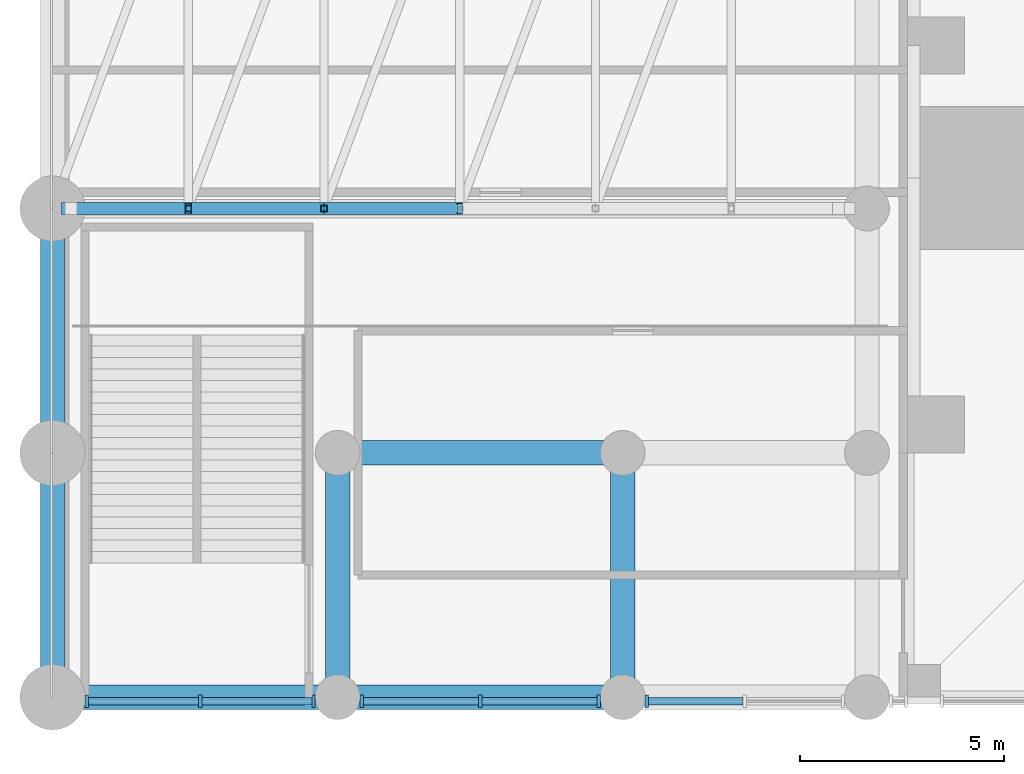
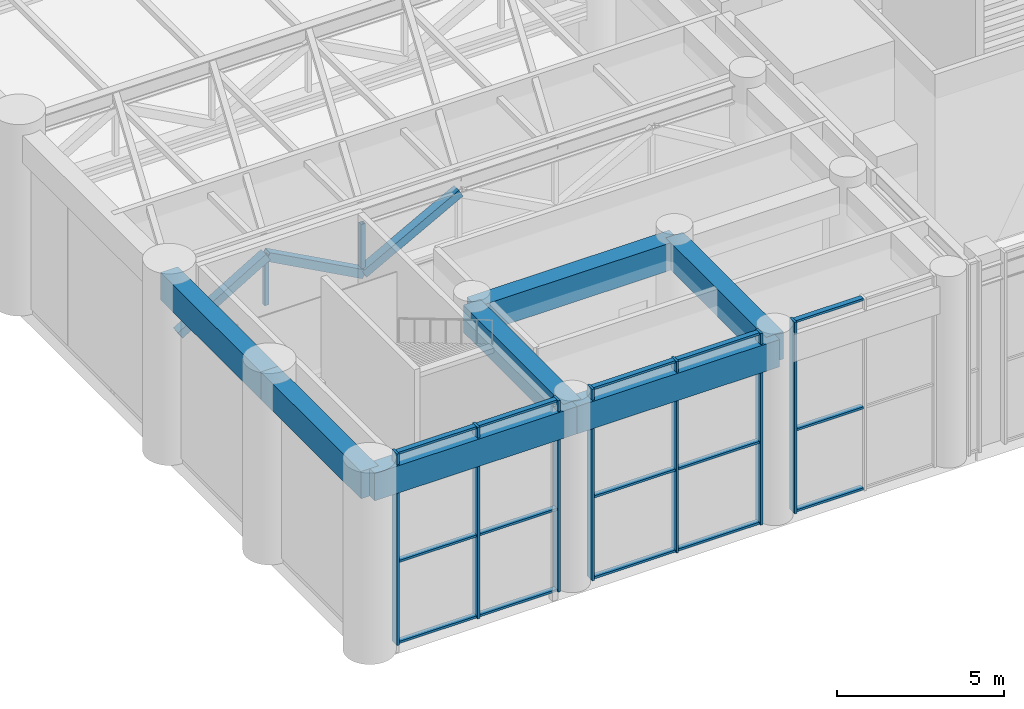
# One storey, part 2 of 30: 27 members, 7 beams, 3 elements without a shape of their own.
"""IFC4 building model written with IfcOpenShell, lengths in metres."""

from ifc_helpers import new_model, si_unit, direction, frame, origin, origin_2d, place, context, subcontext, project, spatial, rectangle, hollow_rectangle, extrude, material, material_profile, profile_set, type_object, element, aggregate, save


model = new_model("IFC4")

# Units and contexts
model_context = context("Model", 3, precision=1e-05, world=origin(), true_north=direction((0.0, 1.0)))
body_context = subcontext(model_context, "Body", "Model", "MODEL_VIEW")
ifc_project = project(units=[si_unit("LENGTHUNIT", "METRE"), si_unit("AREAUNIT", "SQUARE_METRE"), si_unit("VOLUMEUNIT", "CUBIC_METRE"), si_unit("PLANEANGLEUNIT", "RADIAN"), si_unit("MASSUNIT", "GRAM", prefix="KILO")], contexts=[model_context])

# Site, building, storey
site_placement = place(None, origin())
site = spatial("IfcSite", under=ifc_project, at=site_placement, CompositionType="ELEMENT")
building_placement = place(site_placement, origin())
building = spatial("IfcBuilding", under=site, at=building_placement, Name="Svetlomir Tower", CompositionType="ELEMENT")
storey_placement = place(building_placement, frame((0.0, 0.0, 11.0)))
storey = spatial("IfcBuildingStorey", under=building, at=storey_placement, Name="L02", CompositionType="ELEMENT", Elevation=11.0)

# Members
ifc_material_1 = material(Name="Steel S355", Category="steel")
ifc_material_profile_1 = material_profile(ifc_material_1, hollow_rectangle(XDim=0.300048828125, YDim=0.300048828125, WallThickness=0.02001953125, at=origin_2d()), Name="SHS 300x300x20")
ifc_profile_set_1 = profile_set([ifc_material_profile_1], Name="Steel S355")
member_type_1 = type_object("IfcMemberType", Name="AUDITORIUM TRUSS DIAGONAL SHS 300x300x20", PredefinedType="BRACE", material=ifc_profile_set_1)
member_1_placement = place(storey_placement, frame((-20.699951171875, 12.0, 4.174560546875), z_axis=(0.859300122136, 0.0, 0.511471700193), x_axis=(0.0, 1.0, 0.0)))
element("IfcMember", 1, at=member_1_placement, inside=storey, type_object=member_type_1, Name="Auditorium truss 12 diagonal 1", PredefinedType="BRACE", context=body_context, shape_type="SweptSolid", body=[
    extrude(hollow_rectangle(XDim=0.300048828125, YDim=0.300048828125, WallThickness=0.02001953125, at=origin_2d()), origin(), (0.0, 0.0, 1.0), 3.52978515625),
])
member_2_placement = place(storey_placement, frame((-17.666748046875, 12.0, 5.97998046875), z_axis=(0.879316688011, 0.0, -0.476237506067), x_axis=(0.0, 1.0, 0.0)))
element("IfcMember", 2, at=member_2_placement, inside=storey, type_object=member_type_1, Name="Auditorium truss 12 diagonal 2", PredefinedType="BRACE", context=body_context, shape_type="SweptSolid", body=[
    extrude(hollow_rectangle(XDim=0.300048828125, YDim=0.300048828125, WallThickness=0.02001953125, at=origin_2d()), origin(), (0.0, 0.0, 1.0), 3.791015625),
])
member_3_placement = place(storey_placement, frame((-14.333251953125, 12.0, 4.174560546875), z_axis=(0.879302080726, 0.0, 0.476264475717), x_axis=(0.0, 1.0, 0.0)))
element("IfcMember", 3, at=member_3_placement, inside=storey, type_object=member_type_1, Name="Auditorium truss 12 diagonal 3", PredefinedType="BRACE", context=body_context, shape_type="SweptSolid", body=[
    extrude(hollow_rectangle(XDim=0.300048828125, YDim=0.300048828125, WallThickness=0.02001953125, at=origin_2d()), origin(), (0.0, 0.0, 1.0), 3.790771484375),
])
ifc_material_2 = material(Name="Steel S355", Category="steel")
ifc_material_profile_2 = material_profile(ifc_material_2, hollow_rectangle(XDim=0.14990234375, YDim=0.14990234375, WallThickness=0.008056640625, at=origin_2d()), Name="SHS 150x150x8")
ifc_profile_set_2 = profile_set([ifc_material_profile_2], Name="Steel S355")
member_type_2 = type_object("IfcMemberType", Name="AUDITORIUM TRUSS POST SHS 150x150x8", PredefinedType="POST", material=ifc_profile_set_2)
for number, where, z_axis, x_axis, name in (
    (4, (-17.666748046875, 12.0, 4.174560546875), (0.0, 0.0, 1.0), (1.0, 0.0, 0.0), "Auditorium truss 12 post 1"),
    (5, (-14.333251953125, 12.0, 4.174560546875), (0.0, 0.0, 1.0), (1.0, 0.0, 0.0), "Auditorium truss 12 post 2"),
):
    element("IfcMember", number, at=place(storey_placement, frame(where, z_axis=z_axis, x_axis=x_axis)), inside=storey, type_object=member_type_2, Name=name, PredefinedType="POST", context=body_context, shape_type="SweptSolid", body=[
        extrude(hollow_rectangle(XDim=0.14990234375, YDim=0.14990234375, WallThickness=0.008056640625, at=origin_2d()), origin(), (0.0, 0.0, 1.0), 1.805419921875),
    ])

# Curtain wall, members
ifc_material_3 = material(Name="Bronze anodised aluminium curtain wall", Category="aluminium")
curtain_wall_type = type_object("IfcCurtainWallType", Name="CURTAIN WALL CW5 PODIUM", PredefinedType="NOTDEFINED", material=ifc_material_3)
curtain_wall_1_placement = place(storey_placement, origin())
curtain_wall_1 = element("IfcCurtainWall", 6, at=curtain_wall_1_placement, inside=storey, type_object=curtain_wall_type, Name="Curtain wall CW5 L02", PredefinedType="NOTDEFINED")
ifc_material_4 = material(Name="Bronze anodised aluminium", Category="aluminium")
ifc_material_profile_3 = material_profile(ifc_material_4, rectangle(XDim=0.080078125, YDim=0.300048828125, at=origin_2d()), Name="AL 80x300")
ifc_profile_set_3 = profile_set([ifc_material_profile_3], Name="Bronze anodised aluminium 6063-T6")
member_type_3 = type_object("IfcMemberType", Name="CW5 MULLION 80x300", PredefinedType="MULLION", material=ifc_profile_set_3)
member_4_placement = place(storey_placement, frame((-20.159912109375, -0.10009765625, 0.0), z_axis=(0.0, 0.0, 1.0), x_axis=(1.0, 0.0, 0.0)))
member_4 = element("IfcMember", 7, at=member_4_placement, type_object=member_type_3, Name="CW5 mullion 1", PredefinedType="MULLION", context=body_context, shape_type="SweptSolid", body=[
    extrude(rectangle(XDim=0.080078125, YDim=0.300048828125, at=origin_2d()), origin(), (0.0, 0.0, 1.0), 7.0),
])
member_5_placement = place(storey_placement, frame((-17.375, -0.10009765625, 0.0), z_axis=(0.0, 0.0, 1.0), x_axis=(1.0, 0.0, 0.0)))
member_5 = element("IfcMember", 8, at=member_5_placement, type_object=member_type_3, Name="CW5 mullion 2", PredefinedType="MULLION", context=body_context, shape_type="SweptSolid", body=[
    extrude(rectangle(XDim=0.080078125, YDim=0.300048828125, at=origin_2d()), origin(), (0.0, 0.0, 1.0), 7.0),
])
member_6_placement = place(storey_placement, frame((-14.590087890625, -0.10009765625, 0.0), z_axis=(0.0, 0.0, 1.0), x_axis=(1.0, 0.0, 0.0)))
member_6 = element("IfcMember", 9, at=member_6_placement, type_object=member_type_3, Name="CW5 mullion 3", PredefinedType="MULLION", context=body_context, shape_type="SweptSolid", body=[
    extrude(rectangle(XDim=0.080078125, YDim=0.300048828125, at=origin_2d()), origin(), (0.0, 0.0, 1.0), 7.0),
])

curtain_wall_2_placement = place(storey_placement, origin())
curtain_wall_2 = element("IfcCurtainWall", 10, at=curtain_wall_2_placement, inside=storey, type_object=curtain_wall_type, Name="Curtain wall CW5 L02", PredefinedType="NOTDEFINED")
member_7_placement = place(storey_placement, frame((-13.409912109375, -0.10009765625, 0.0), z_axis=(0.0, 0.0, 1.0), x_axis=(1.0, 0.0, 0.0)))
member_7 = element("IfcMember", 11, at=member_7_placement, type_object=member_type_3, Name="CW5 mullion 1", PredefinedType="MULLION", context=body_context, shape_type="SweptSolid", body=[
    extrude(rectangle(XDim=0.080078125, YDim=0.300048828125, at=origin_2d()), origin(), (0.0, 0.0, 1.0), 7.0),
])
member_8_placement = place(storey_placement, frame((-10.5, -0.10009765625, 0.0), z_axis=(0.0, 0.0, 1.0), x_axis=(1.0, 0.0, 0.0)))
member_8 = element("IfcMember", 12, at=member_8_placement, type_object=member_type_3, Name="CW5 mullion 2", PredefinedType="MULLION", context=body_context, shape_type="SweptSolid", body=[
    extrude(rectangle(XDim=0.080078125, YDim=0.300048828125, at=origin_2d()), origin(), (0.0, 0.0, 1.0), 7.0),
])
member_9_placement = place(storey_placement, frame((-7.590087890625, -0.10009765625, 0.0), z_axis=(0.0, 0.0, 1.0), x_axis=(1.0, 0.0, 0.0)))
member_9 = element("IfcMember", 13, at=member_9_placement, type_object=member_type_3, Name="CW5 mullion 3", PredefinedType="MULLION", context=body_context, shape_type="SweptSolid", body=[
    extrude(rectangle(XDim=0.080078125, YDim=0.300048828125, at=origin_2d()), origin(), (0.0, 0.0, 1.0), 7.0),
])

# Curtain wall, member
curtain_wall_3_placement = place(storey_placement, origin())
curtain_wall_3 = element("IfcCurtainWall", 14, at=curtain_wall_3_placement, inside=storey, type_object=curtain_wall_type, Name="Curtain wall CW5 L02", PredefinedType="NOTDEFINED")
member_10_placement = place(storey_placement, frame((-6.409912109375, -0.10009765625, 0.0), z_axis=(0.0, 0.0, 1.0), x_axis=(1.0, 0.0, 0.0)))
member_10 = element("IfcMember", 15, at=member_10_placement, type_object=member_type_3, Name="CW5 mullion 1", PredefinedType="MULLION", context=body_context, shape_type="SweptSolid", body=[
    extrude(rectangle(XDim=0.080078125, YDim=0.300048828125, at=origin_2d()), origin(), (0.0, 0.0, 1.0), 7.0),
])

# Member
ifc_material_5 = material(Name="Bronze anodised aluminium", Category="aluminium")
ifc_material_profile_4 = material_profile(ifc_material_5, rectangle(XDim=0.179931640625, YDim=0.080078125, at=origin_2d()), Name="AL 180x80")
ifc_profile_set_4 = profile_set([ifc_material_profile_4], Name="Bronze anodised aluminium 6063-T6")
member_type_4 = type_object("IfcMemberType", Name="CW5 TRANSOM 80x180", PredefinedType="USERDEFINED", material=ifc_profile_set_4)
member_11_placement = place(storey_placement, frame((-20.1201171875, -0.10009765625, 0.0400390625), z_axis=(1.0, 0.0, 0.0), x_axis=(0.0, 1.0, 0.0)))
member_11 = element("IfcMember", 16, at=member_11_placement, type_object=member_type_4, Name="CW5 transom 1.1", ObjectType="TRANSOM", PredefinedType="USERDEFINED", context=body_context, shape_type="SweptSolid", body=[
    extrude(rectangle(XDim=0.179931640625, YDim=0.080078125, at=origin_2d()), origin(), (0.0, 0.0, 1.0), 2.705078125),
])

member_12_placement = place(storey_placement, frame((-20.1201171875, -0.10009765625, 3.0), z_axis=(1.0, 0.0, 0.0), x_axis=(0.0, 1.0, 0.0)))
member_12 = element("IfcMember", 17, at=member_12_placement, type_object=member_type_4, Name="CW5 transom 1.2", ObjectType="TRANSOM", PredefinedType="USERDEFINED", context=body_context, shape_type="SweptSolid", body=[
    extrude(rectangle(XDim=0.179931640625, YDim=0.080078125, at=origin_2d()), origin(), (0.0, 0.0, 1.0), 2.705078125),
])

member_13_placement = place(storey_placement, frame((-20.1201171875, -0.10009765625, 6.9599609375), z_axis=(1.0, 0.0, 0.0), x_axis=(0.0, 1.0, 0.0)))
member_13 = element("IfcMember", 18, at=member_13_placement, type_object=member_type_4, Name="CW5 transom 1.3", ObjectType="TRANSOM", PredefinedType="USERDEFINED", context=body_context, shape_type="SweptSolid", body=[
    extrude(rectangle(XDim=0.179931640625, YDim=0.080078125, at=origin_2d()), origin(), (0.0, 0.0, 1.0), 2.705078125),
])

member_14_placement = place(storey_placement, frame((-17.3349609375, -0.10009765625, 0.0400390625), z_axis=(1.0, 0.0, 0.0), x_axis=(0.0, 1.0, 0.0)))
member_14 = element("IfcMember", 19, at=member_14_placement, type_object=member_type_4, Name="CW5 transom 2.1", ObjectType="TRANSOM", PredefinedType="USERDEFINED", context=body_context, shape_type="SweptSolid", body=[
    extrude(rectangle(XDim=0.179931640625, YDim=0.080078125, at=origin_2d()), origin(), (0.0, 0.0, 1.0), 2.705078125),
])

member_15_placement = place(storey_placement, frame((-17.3349609375, -0.10009765625, 3.0), z_axis=(1.0, 0.0, 0.0), x_axis=(0.0, 1.0, 0.0)))
member_15 = element("IfcMember", 20, at=member_15_placement, type_object=member_type_4, Name="CW5 transom 2.2", ObjectType="TRANSOM", PredefinedType="USERDEFINED", context=body_context, shape_type="SweptSolid", body=[
    extrude(rectangle(XDim=0.179931640625, YDim=0.080078125, at=origin_2d()), origin(), (0.0, 0.0, 1.0), 2.705078125),
])

member_16_placement = place(storey_placement, frame((-17.3349609375, -0.10009765625, 6.9599609375), z_axis=(1.0, 0.0, 0.0), x_axis=(0.0, 1.0, 0.0)))
member_16 = element("IfcMember", 21, at=member_16_placement, type_object=member_type_4, Name="CW5 transom 2.3", ObjectType="TRANSOM", PredefinedType="USERDEFINED", context=body_context, shape_type="SweptSolid", body=[
    extrude(rectangle(XDim=0.179931640625, YDim=0.080078125, at=origin_2d()), origin(), (0.0, 0.0, 1.0), 2.705078125),
])

aggregate(curtain_wall_1, [member_4, member_5, member_6, member_11, member_12, member_13, member_14, member_15, member_16])

member_17_placement = place(storey_placement, frame((-13.3701171875, -0.10009765625, 0.0400390625), z_axis=(1.0, 0.0, 0.0), x_axis=(0.0, 1.0, 0.0)))
member_17 = element("IfcMember", 22, at=member_17_placement, type_object=member_type_4, Name="CW5 transom 1.1", ObjectType="TRANSOM", PredefinedType="USERDEFINED", context=body_context, shape_type="SweptSolid", body=[
    extrude(rectangle(XDim=0.179931640625, YDim=0.080078125, at=origin_2d()), origin(), (0.0, 0.0, 1.0), 2.830078125),
])

member_18_placement = place(storey_placement, frame((-13.3701171875, -0.10009765625, 3.0), z_axis=(1.0, 0.0, 0.0), x_axis=(0.0, 1.0, 0.0)))
member_18 = element("IfcMember", 23, at=member_18_placement, type_object=member_type_4, Name="CW5 transom 1.2", ObjectType="TRANSOM", PredefinedType="USERDEFINED", context=body_context, shape_type="SweptSolid", body=[
    extrude(rectangle(XDim=0.179931640625, YDim=0.080078125, at=origin_2d()), origin(), (0.0, 0.0, 1.0), 2.830078125),
])

member_19_placement = place(storey_placement, frame((-13.3701171875, -0.10009765625, 6.9599609375), z_axis=(1.0, 0.0, 0.0), x_axis=(0.0, 1.0, 0.0)))
member_19 = element("IfcMember", 24, at=member_19_placement, type_object=member_type_4, Name="CW5 transom 1.3", ObjectType="TRANSOM", PredefinedType="USERDEFINED", context=body_context, shape_type="SweptSolid", body=[
    extrude(rectangle(XDim=0.179931640625, YDim=0.080078125, at=origin_2d()), origin(), (0.0, 0.0, 1.0), 2.830078125),
])

member_20_placement = place(storey_placement, frame((-10.4599609375, -0.10009765625, 0.0400390625), z_axis=(1.0, 0.0, 0.0), x_axis=(0.0, 1.0, 0.0)))
member_20 = element("IfcMember", 25, at=member_20_placement, type_object=member_type_4, Name="CW5 transom 2.1", ObjectType="TRANSOM", PredefinedType="USERDEFINED", context=body_context, shape_type="SweptSolid", body=[
    extrude(rectangle(XDim=0.179931640625, YDim=0.080078125, at=origin_2d()), origin(), (0.0, 0.0, 1.0), 2.830078125),
])

member_21_placement = place(storey_placement, frame((-10.4599609375, -0.10009765625, 3.0), z_axis=(1.0, 0.0, 0.0), x_axis=(0.0, 1.0, 0.0)))
member_21 = element("IfcMember", 26, at=member_21_placement, type_object=member_type_4, Name="CW5 transom 2.2", ObjectType="TRANSOM", PredefinedType="USERDEFINED", context=body_context, shape_type="SweptSolid", body=[
    extrude(rectangle(XDim=0.179931640625, YDim=0.080078125, at=origin_2d()), origin(), (0.0, 0.0, 1.0), 2.830078125),
])

member_22_placement = place(storey_placement, frame((-10.4599609375, -0.10009765625, 6.9599609375), z_axis=(1.0, 0.0, 0.0), x_axis=(0.0, 1.0, 0.0)))
member_22 = element("IfcMember", 27, at=member_22_placement, type_object=member_type_4, Name="CW5 transom 2.3", ObjectType="TRANSOM", PredefinedType="USERDEFINED", context=body_context, shape_type="SweptSolid", body=[
    extrude(rectangle(XDim=0.179931640625, YDim=0.080078125, at=origin_2d()), origin(), (0.0, 0.0, 1.0), 2.830078125),
])

aggregate(curtain_wall_2, [member_7, member_8, member_9, member_17, member_18, member_19, member_20, member_21, member_22])

member_23_placement = place(storey_placement, frame((-6.3701171875, -0.10009765625, 0.0400390625), z_axis=(1.0, 0.0, 0.0), x_axis=(0.0, 1.0, 0.0)))
member_23 = element("IfcMember", 28, at=member_23_placement, type_object=member_type_4, Name="CW5 transom 1.1", ObjectType="TRANSOM", PredefinedType="USERDEFINED", context=body_context, shape_type="SweptSolid", body=[
    extrude(rectangle(XDim=0.179931640625, YDim=0.080078125, at=origin_2d()), origin(), (0.0, 0.0, 1.0), 2.330078125),
])

member_24_placement = place(storey_placement, frame((-6.3701171875, -0.10009765625, 3.0), z_axis=(1.0, 0.0, 0.0), x_axis=(0.0, 1.0, 0.0)))
member_24 = element("IfcMember", 29, at=member_24_placement, type_object=member_type_4, Name="CW5 transom 1.2", ObjectType="TRANSOM", PredefinedType="USERDEFINED", context=body_context, shape_type="SweptSolid", body=[
    extrude(rectangle(XDim=0.179931640625, YDim=0.080078125, at=origin_2d()), origin(), (0.0, 0.0, 1.0), 2.330078125),
])

member_25_placement = place(storey_placement, frame((-6.3701171875, -0.10009765625, 6.9599609375), z_axis=(1.0, 0.0, 0.0), x_axis=(0.0, 1.0, 0.0)))
member_25 = element("IfcMember", 30, at=member_25_placement, type_object=member_type_4, Name="CW5 transom 1.3", ObjectType="TRANSOM", PredefinedType="USERDEFINED", context=body_context, shape_type="SweptSolid", body=[
    extrude(rectangle(XDim=0.179931640625, YDim=0.080078125, at=origin_2d()), origin(), (0.0, 0.0, 1.0), 2.330078125),
])

aggregate(curtain_wall_3, [member_10, member_23, member_24, member_25])

# Beams
ifc_material_6 = material(Name="Concrete C60/75", Category="concrete")
ifc_material_profile_5 = material_profile(ifc_material_6, rectangle(XDim=0.60009765625, YDim=1.0, at=origin_2d()), Name="RC 600x1000")
ifc_profile_set_5 = profile_set([ifc_material_profile_5], Name="Concrete C60/75")
beam_type = type_object("IfcBeamType", Name="PODIUM BEAM RC 600x1000", PredefinedType="BEAM", material=ifc_profile_set_5)
beam_1_placement = place(storey_placement, frame((-21.0, 0.0, 6.10009765625), z_axis=(0.0, 1.0, 0.0), x_axis=(-1.0, 0.0, 0.0)))
element("IfcBeam", 31, at=beam_1_placement, inside=storey, type_object=beam_type, Name="Podium beam -21/0 to -21/6 under L03", PredefinedType="BEAM", context=body_context, shape_type="SweptSolid", body=[
    extrude(rectangle(XDim=0.60009765625, YDim=1.0, at=origin_2d()), origin(), (0.0, 0.0, 1.0), 6.0),
])
beam_2_placement = place(storey_placement, frame((-21.0, 0.0, 6.10009765625), z_axis=(1.0, 0.0, 0.0), x_axis=(0.0, 1.0, 0.0)))
element("IfcBeam", 32, at=beam_2_placement, inside=storey, type_object=beam_type, Name="Podium beam -21/0 to -14/0 under L03", PredefinedType="BEAM", context=body_context, shape_type="SweptSolid", body=[
    extrude(rectangle(XDim=0.60009765625, YDim=1.0, at=origin_2d()), origin(), (0.0, 0.0, 1.0), 7.0),
])
for number, where, z_axis, x_axis, name in (
    (33, (-21.0, 6.0, 6.10009765625), (0.0, 1.0, 0.0), (-1.0, 0.0, 0.0), "Podium beam -21/6 to -21/12 under L03"),
    (34, (-14.0, 0.0, 6.10009765625), (0.0, 1.0, 0.0), (-1.0, 0.0, 0.0), "Podium beam -14/0 to -14/6 under L03"),
):
    element("IfcBeam", number, at=place(storey_placement, frame(where, z_axis=z_axis, x_axis=x_axis)), inside=storey, type_object=beam_type, Name=name, PredefinedType="BEAM", context=body_context, shape_type="SweptSolid", body=[
        extrude(rectangle(XDim=0.60009765625, YDim=1.0, at=origin_2d()), origin(), (0.0, 0.0, 1.0), 6.0),
    ])
for number, where, z_axis, x_axis, name in (
    (35, (-14.0, 0.0, 6.10009765625), (1.0, 0.0, 0.0), (0.0, 1.0, 0.0), "Podium beam -14/0 to -7/0 under L03"),
    (36, (-14.0, 6.0, 6.10009765625), (1.0, 0.0, 0.0), (0.0, 1.0, 0.0), "Podium beam -14/6 to -7/6 under L03"),
):
    element("IfcBeam", number, at=place(storey_placement, frame(where, z_axis=z_axis, x_axis=x_axis)), inside=storey, type_object=beam_type, Name=name, PredefinedType="BEAM", context=body_context, shape_type="SweptSolid", body=[
        extrude(rectangle(XDim=0.60009765625, YDim=1.0, at=origin_2d()), origin(), (0.0, 0.0, 1.0), 7.0),
    ])
beam_3_placement = place(storey_placement, frame((-7.0, 0.0, 6.10009765625), z_axis=(0.0, 1.0, 0.0), x_axis=(-1.0, 0.0, 0.0)))
element("IfcBeam", 37, at=beam_3_placement, inside=storey, type_object=beam_type, Name="Podium beam -7/0 to -7/6 under L03", PredefinedType="BEAM", context=body_context, shape_type="SweptSolid", body=[
    extrude(rectangle(XDim=0.60009765625, YDim=1.0, at=origin_2d()), origin(), (0.0, 0.0, 1.0), 6.0),
])

save(model, "model.ifc")
